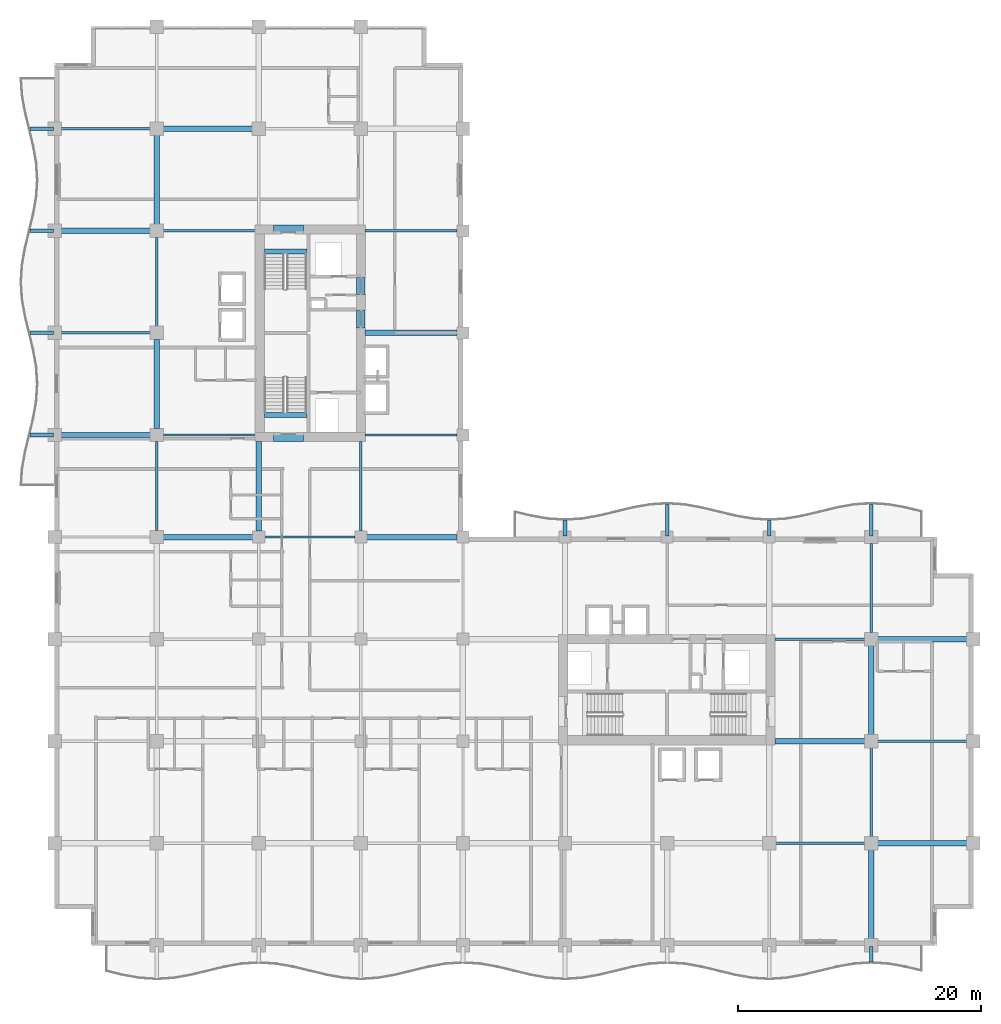
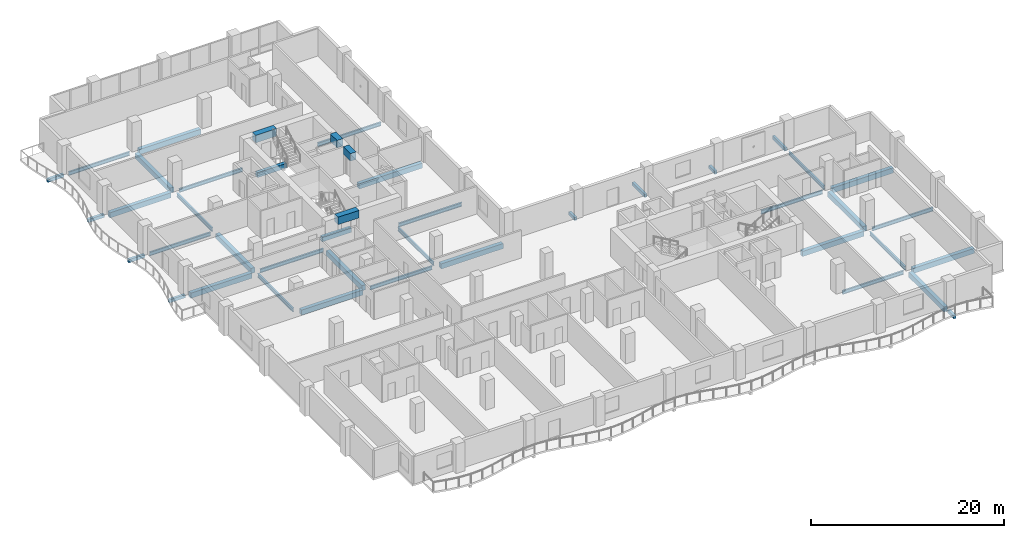
# One storey, part 2 of 20: 44 beams.
"""IFC4 building model written with IfcOpenShell, lengths in metres."""

from ifc_helpers import new_model, si_unit, direction, frame, origin, origin_2d, place, context, subcontext, project, spatial, rectangle, i_section, extrude, material, material_profile, profile_set, type_object, element, save


model = new_model("IFC4")

# Units and contexts
model_context = context("Model", 3, precision=1e-05, world=origin(), true_north=direction((0.0, 1.0)))
body_context = subcontext(model_context, "Body", "Model", "MODEL_VIEW")
ifc_project = project(units=[si_unit("LENGTHUNIT", "METRE"), si_unit("AREAUNIT", "SQUARE_METRE"), si_unit("VOLUMEUNIT", "CUBIC_METRE"), si_unit("PLANEANGLEUNIT", "RADIAN"), si_unit("MASSUNIT", "GRAM", prefix="KILO")], contexts=[model_context])

# Site, building, storey
site_placement = place(None, origin())
site = spatial("IfcSite", under=ifc_project, at=site_placement, CompositionType="ELEMENT")
building_placement = place(site_placement, origin())
building = spatial("IfcBuilding", under=site, at=building_placement, Name="Koriwani Terraces Tower", CompositionType="ELEMENT")
storey_placement = place(building_placement, frame((0.0, 0.0, 175.39990234375)))
storey = spatial("IfcBuildingStorey", under=building, at=storey_placement, Name="L42", CompositionType="ELEMENT", Elevation=175.39990234375)

# Beams
ifc_material_1 = material(Name="Concrete C40/50", Category="concrete")
ifc_material_profile_1 = material_profile(ifc_material_1, rectangle(XDim=0.300048828125, YDim=0.39990234375, at=origin_2d()), Name="Concrete C40/50", Category="LoadBearing")
ifc_profile_set_1 = profile_set([ifc_material_profile_1], Name="Concrete C40/50")
beam_type_1 = type_object("IfcBeamType", Name="BEAM_RC_BALCONY_RIB_300X400", PredefinedType="JOIST", material=ifc_profile_set_1)
beam_1_placement = place(storey_placement, frame((67.199951171875, -1.35009765625, -0.429931640625), z_axis=(0.0, 1.0, 0.0), x_axis=(-1.0, 0.0, 0.0)))
element("IfcBeam", 1, at=beam_1_placement, inside=storey, type_object=beam_type_1, Name="L42 Balcony Bracket Rib S-8", PredefinedType="JOIST", context=body_context, shape_type="SweptSolid", body=[
    extrude(rectangle(XDim=0.300048828125, YDim=0.39990234375, at=origin_2d()), origin(), (0.0, 0.0, 1.0), 1.25),
])
for number, where, z_axis, x_axis, name in (
    (2, (-2.02490234375, 42.0, -0.429931640625), (1.0, 0.0, 0.0), (0.0, 1.0, 0.0), "L42 Balcony Bracket Rib W-1"),
    (3, (-2.02490234375, 50.39990234375, -0.429931640625), (1.0, 0.0, 0.0), (0.0, 1.0, 0.0), "L42 Balcony Bracket Rib W-2"),
    (4, (-2.02490234375, 58.800048828125, -0.429931640625), (1.0, 0.0, 0.0), (0.0, 1.0, 0.0), "L42 Balcony Bracket Rib W-3"),
    (5, (-2.02490234375, 67.199951171875, -0.429931640625), (1.0, 0.0, 0.0), (0.0, 1.0, 0.0), "L42 Balcony Bracket Rib W-4"),
):
    element("IfcBeam", number, at=place(storey_placement, frame(where, z_axis=z_axis, x_axis=x_axis)), inside=storey, type_object=beam_type_1, Name=name, PredefinedType="JOIST", context=body_context, shape_type="SweptSolid", body=[
        extrude(rectangle(XDim=0.300048828125, YDim=0.39990234375, at=origin_2d()), origin(), (0.0, 0.0, 1.0), 1.9248046875),
    ])
beam_2_placement = place(storey_placement, frame((42.0, 33.699951171875, -0.429931640625), z_axis=(0.0, 1.0, 0.0), x_axis=(-1.0, 0.0, 0.0)))
element("IfcBeam", 6, at=beam_2_placement, inside=storey, type_object=beam_type_1, Name="L42 Balcony Bracket Rib NE-1", PredefinedType="JOIST", context=body_context, shape_type="SweptSolid", body=[
    extrude(rectangle(XDim=0.300048828125, YDim=0.39990234375, at=origin_2d()), origin(), (0.0, 0.0, 1.0), 1.25),
])
beam_3_placement = place(storey_placement, frame((50.39990234375, 33.699951171875, -0.429931640625), z_axis=(0.0, 1.0, 0.0), x_axis=(-1.0, 0.0, 0.0)))
element("IfcBeam", 7, at=beam_3_placement, inside=storey, type_object=beam_type_1, Name="L42 Balcony Bracket Rib NE-2", PredefinedType="JOIST", context=body_context, shape_type="SweptSolid", body=[
    extrude(rectangle(XDim=0.300048828125, YDim=0.39990234375, at=origin_2d()), origin(), (0.0, 0.0, 1.0), 2.60009765625),
])
beam_4_placement = place(storey_placement, frame((58.800048828125, 33.699951171875, -0.429931640625), z_axis=(0.0, 1.0, 0.0), x_axis=(-1.0, 0.0, 0.0)))
element("IfcBeam", 8, at=beam_4_placement, inside=storey, type_object=beam_type_1, Name="L42 Balcony Bracket Rib NE-3", PredefinedType="JOIST", context=body_context, shape_type="SweptSolid", body=[
    extrude(rectangle(XDim=0.300048828125, YDim=0.39990234375, at=origin_2d()), origin(), (0.0, 0.0, 1.0), 1.25),
])
beam_5_placement = place(storey_placement, frame((67.199951171875, 33.699951171875, -0.429931640625), z_axis=(0.0, 1.0, 0.0), x_axis=(-1.0, 0.0, 0.0)))
element("IfcBeam", 9, at=beam_5_placement, inside=storey, type_object=beam_type_1, Name="L42 Balcony Bracket Rib NE-4", PredefinedType="JOIST", context=body_context, shape_type="SweptSolid", body=[
    extrude(rectangle(XDim=0.300048828125, YDim=0.39990234375, at=origin_2d()), origin(), (0.0, 0.0, 1.0), 2.60009765625),
])
ifc_material_2 = material(Name="Concrete C60/75", Category="concrete")
ifc_material_profile_2 = material_profile(ifc_material_2, rectangle(XDim=0.699951171875, YDim=0.949951171875, at=origin_2d()), Name="Concrete C60/75", Category="LoadBearing")
ifc_profile_set_2 = profile_set([ifc_material_profile_2], Name="Concrete C60/75")
beam_type_2 = type_object("IfcBeamType", Name="BEAM_RC_COUPLING_700X950", PredefinedType="LINTEL", material=ifc_profile_set_2)
beam_6_placement = place(storey_placement, frame((25.199951171875, 50.800048828125, 2.9951171875), z_axis=(0.0, 1.0, 0.0), x_axis=(-1.0, 0.0, 0.0)))
element("IfcBeam", 10, at=beam_6_placement, inside=storey, type_object=beam_type_2, Name="L42 Core Coupling Lintel Beam WE1", PredefinedType="LINTEL", context=body_context, shape_type="SweptSolid", body=[
    extrude(rectangle(XDim=0.699951171875, YDim=0.949951171875, at=origin_2d()), origin(), (0.0, 0.0, 1.0), 1.47998046875),
])
beam_7_placement = place(storey_placement, frame((25.199951171875, 53.550048828125, 2.9951171875), z_axis=(0.0, 1.0, 0.0), x_axis=(-1.0, 0.0, 0.0)))
element("IfcBeam", 11, at=beam_7_placement, inside=storey, type_object=beam_type_2, Name="L42 Core Coupling Lintel Beam WE2", PredefinedType="LINTEL", context=body_context, shape_type="SweptSolid", body=[
    extrude(rectangle(XDim=0.699951171875, YDim=0.949951171875, at=origin_2d()), origin(), (0.0, 0.0, 1.0), 1.39990234375),
])
for number, where, z_axis, x_axis, name in (
    (12, (18.0, 41.824951171875, 2.9951171875), (1.0, 0.0, 0.0), (0.0, 1.0, 0.0), "L42 Core Coupling Lintel Beam WS"),
    (13, (18.0, 58.925048828125, 2.9951171875), (1.0, 0.0, 0.0), (0.0, 1.0, 0.0), "L42 Core Coupling Lintel Beam WN"),
):
    element("IfcBeam", number, at=place(storey_placement, frame(where, z_axis=z_axis, x_axis=x_axis)), inside=storey, type_object=beam_type_2, Name=name, PredefinedType="LINTEL", context=body_context, shape_type="SweptSolid", body=[
        extrude(rectangle(XDim=0.699951171875, YDim=0.949951171875, at=origin_2d()), origin(), (0.0, 0.0, 1.0), 2.5),
    ])
ifc_material_profile_3 = material_profile(ifc_material_1, rectangle(XDim=0.39990234375, YDim=0.60009765625, at=origin_2d()), Name="Concrete C40/50", Category="LoadBearing")
ifc_profile_set_3 = profile_set([ifc_material_profile_3], Name="Concrete C40/50")
beam_type_3 = type_object("IfcBeamType", Name="BEAM_RC_GRID_400X600", PredefinedType="BEAM", material=ifc_profile_set_3)
for number, where, z_axis, x_axis, name in (
    (14, (17.25, 43.655029296875, -0.2998046875), (1.0, 0.0, 0.0), (0.0, 1.0, 0.0), "L42 Stairwell Header Trimmer Beam ST-W1"),
    (15, (17.25, 57.094970703125, -0.2998046875), (1.0, 0.0, 0.0), (0.0, 1.0, 0.0), "L42 Stairwell Header Trimmer Beam ST-W2"),
):
    element("IfcBeam", number, at=place(storey_placement, frame(where, z_axis=z_axis, x_axis=x_axis)), inside=storey, type_object=beam_type_3, Name=name, PredefinedType="BEAM", context=body_context, shape_type="SweptSolid", body=[
        extrude(rectangle(XDim=0.39990234375, YDim=0.60009765625, at=origin_2d()), origin(), (0.0, 0.0, 1.0), 3.5),
    ])
ifc_material_3 = material(Name="Concrete C50/60", Category="concrete")
ifc_material_profile_4 = material_profile(ifc_material_3, rectangle(XDim=0.449951171875, YDim=0.64990234375, at=origin_2d()), Name="Concrete C50/60", Category="LoadBearing")
ifc_profile_set_4 = profile_set([ifc_material_profile_4], Name="Concrete C50/60")
beam_type_4 = type_object("IfcBeamType", Name="BEAM_RC_GRID_450X650", PredefinedType="BEAM", material=ifc_profile_set_4)
beam_8_placement = place(storey_placement, frame((67.72998046875, 8.39990234375, -0.554931640625), z_axis=(1.0, 0.0, 0.0), x_axis=(0.0, 1.0, 0.0)))
element("IfcBeam", 16, at=beam_8_placement, inside=storey, type_object=beam_type_4, Name="L42 Grid Beam B (67.2-75.6m)", PredefinedType="BEAM", context=body_context, shape_type="SweptSolid", body=[
    extrude(rectangle(XDim=0.449951171875, YDim=0.64990234375, at=origin_2d()), origin(), (0.0, 0.0, 1.0), 7.340087890625),
])
beam_9_placement = place(storey_placement, frame((59.280029296875, 16.800048828125, -0.554931640625), z_axis=(1.0, 0.0, 0.0), x_axis=(0.0, 1.0, 0.0)))
element("IfcBeam", 17, at=beam_9_placement, inside=storey, type_object=beam_type_4, Name="L42 Grid Beam C (58.8-67.2m)", PredefinedType="BEAM", context=body_context, shape_type="SweptSolid", body=[
    extrude(rectangle(XDim=0.449951171875, YDim=0.64990234375, at=origin_2d()), origin(), (0.0, 0.0, 1.0), 7.389892578125),
])
beam_10_placement = place(storey_placement, frame((67.72998046875, 25.199951171875, -0.554931640625), z_axis=(1.0, 0.0, 0.0), x_axis=(0.0, 1.0, 0.0)))
element("IfcBeam", 18, at=beam_10_placement, inside=storey, type_object=beam_type_4, Name="L42 Grid Beam D (67.2-75.6m)", PredefinedType="BEAM", context=body_context, shape_type="SweptSolid", body=[
    extrude(rectangle(XDim=0.449951171875, YDim=0.64990234375, at=origin_2d()), origin(), (0.0, 0.0, 1.0), 7.340087890625),
])
beam_11_placement = place(storey_placement, frame((8.929931640625, 33.60009765625, -0.554931640625), z_axis=(1.0, 0.0, 0.0), x_axis=(0.0, 1.0, 0.0)))
element("IfcBeam", 19, at=beam_11_placement, inside=storey, type_object=beam_type_4, Name="L42 Grid Beam E (8.4-16.8m)", PredefinedType="BEAM", context=body_context, shape_type="SweptSolid", body=[
    extrude(rectangle(XDim=0.449951171875, YDim=0.64990234375, at=origin_2d()), origin(), (0.0, 0.0, 1.0), 7.39013671875),
])
beam_12_placement = place(storey_placement, frame((25.679931640625, 33.60009765625, -0.554931640625), z_axis=(1.0, 0.0, 0.0), x_axis=(0.0, 1.0, 0.0)))
element("IfcBeam", 20, at=beam_12_placement, inside=storey, type_object=beam_type_4, Name="L42 Grid Beam E (25.2-33.6m)", PredefinedType="BEAM", context=body_context, shape_type="SweptSolid", body=[
    extrude(rectangle(XDim=0.449951171875, YDim=0.64990234375, at=origin_2d()), origin(), (0.0, 0.0, 1.0), 7.440185546875),
])
beam_13_placement = place(storey_placement, frame((0.530029296875, 42.0, -0.554931640625), z_axis=(1.0, 0.0, 0.0), x_axis=(0.0, 1.0, 0.0)))
element("IfcBeam", 21, at=beam_13_placement, inside=storey, type_object=beam_type_4, Name="L42 Grid Beam F (0.0-8.4m)", PredefinedType="BEAM", context=body_context, shape_type="SweptSolid", body=[
    extrude(rectangle(XDim=0.449951171875, YDim=0.64990234375, at=origin_2d()), origin(), (0.0, 0.0, 1.0), 7.340087890625),
])
beam_14_placement = place(storey_placement, frame((25.554931640625, 50.39990234375, -0.554931640625), z_axis=(1.0, 0.0, 0.0), x_axis=(0.0, 1.0, 0.0)))
element("IfcBeam", 22, at=beam_14_placement, inside=storey, type_object=beam_type_4, Name="L42 Grid Beam G (25.2-33.6m)", PredefinedType="BEAM", context=body_context, shape_type="SweptSolid", body=[
    extrude(rectangle(XDim=0.449951171875, YDim=0.64990234375, at=origin_2d()), origin(), (0.0, 0.0, 1.0), 7.565185546875),
])
for number, where, z_axis, x_axis, name in (
    (23, (0.530029296875, 58.800048828125, -0.554931640625), (1.0, 0.0, 0.0), (0.0, 1.0, 0.0), "L42 Grid Beam H (0.0-8.4m)"),
    (24, (8.929931640625, 67.199951171875, -0.554931640625), (1.0, 0.0, 0.0), (0.0, 1.0, 0.0), "L42 Grid Beam I (8.4-16.8m)"),
    (25, (8.39990234375, 42.530029296875, -0.554931640625), (0.0, 1.0, 0.0), (-1.0, 0.0, 0.0), "L42 Grid Beam 2 (42.0-50.4m)"),
):
    element("IfcBeam", number, at=place(storey_placement, frame(where, z_axis=z_axis, x_axis=x_axis)), inside=storey, type_object=beam_type_4, Name=name, PredefinedType="BEAM", context=body_context, shape_type="SweptSolid", body=[
        extrude(rectangle(XDim=0.449951171875, YDim=0.64990234375, at=origin_2d()), origin(), (0.0, 0.0, 1.0), 7.340087890625),
    ])
beam_15_placement = place(storey_placement, frame((8.39990234375, 59.330078125, -0.554931640625), z_axis=(0.0, 1.0, 0.0), x_axis=(-1.0, 0.0, 0.0)))
element("IfcBeam", 26, at=beam_15_placement, inside=storey, type_object=beam_type_4, Name="L42 Grid Beam 2 (58.8-67.2m)", PredefinedType="BEAM", context=body_context, shape_type="SweptSolid", body=[
    extrude(rectangle(XDim=0.449951171875, YDim=0.64990234375, at=origin_2d()), origin(), (0.0, 0.0, 1.0), 7.33984375),
])
beam_16_placement = place(storey_placement, frame((16.800048828125, 34.080078125, -0.554931640625), z_axis=(0.0, 1.0, 0.0), x_axis=(-1.0, 0.0, 0.0)))
element("IfcBeam", 27, at=beam_16_placement, inside=storey, type_object=beam_type_4, Name="L42 Grid Beam 3 (33.6-42.0m)", PredefinedType="BEAM", context=body_context, shape_type="SweptSolid", body=[
    extrude(rectangle(XDim=0.449951171875, YDim=0.64990234375, at=origin_2d()), origin(), (0.0, 0.0, 1.0), 7.389892578125),
])
beam_17_placement = place(storey_placement, frame((67.199951171875, 0.530029296875, -0.554931640625), z_axis=(0.0, 1.0, 0.0), x_axis=(-1.0, 0.0, 0.0)))
element("IfcBeam", 28, at=beam_17_placement, inside=storey, type_object=beam_type_4, Name="L42 Grid Beam 9 (0.0-8.4m)", PredefinedType="BEAM", context=body_context, shape_type="SweptSolid", body=[
    extrude(rectangle(XDim=0.449951171875, YDim=0.64990234375, at=origin_2d()), origin(), (0.0, 0.0, 1.0), 7.340087890625),
])
beam_18_placement = place(storey_placement, frame((67.199951171875, 17.330078125, -0.554931640625), z_axis=(0.0, 1.0, 0.0), x_axis=(-1.0, 0.0, 0.0)))
element("IfcBeam", 29, at=beam_18_placement, inside=storey, type_object=beam_type_4, Name="L42 Grid Beam 9 (16.8-25.2m)", PredefinedType="BEAM", context=body_context, shape_type="SweptSolid", body=[
    extrude(rectangle(XDim=0.449951171875, YDim=0.64990234375, at=origin_2d()), origin(), (0.0, 0.0, 1.0), 7.33984375),
])
ifc_material_4 = material(Name="Steel ASTM A572 Grade 50", Category="steel")
ifc_material_profile_5 = material_profile(ifc_material_4, i_section(OverallWidth=0.193115234375, OverallDepth=0.462890625, WebThickness=0.0107421875, FlangeThickness=0.017333984375, at=origin_2d()), Name="Steel ASTM A572 Grade 50", Category="LoadBearing")
ifc_profile_set_5 = profile_set([ifc_material_profile_5], Name="Steel ASTM A572 Grade 50")
beam_type_5 = type_object("IfcBeamType", Name="STEEL_BEAM_W460X113", PredefinedType="BEAM", material=ifc_profile_set_5)
beam_19_placement = place(storey_placement, frame((59.330078125, 8.39990234375, -0.46142578125), z_axis=(1.0, 0.0, 0.0), x_axis=(0.0, 1.0, 0.0)))
element("IfcBeam", 30, at=beam_19_placement, inside=storey, type_object=beam_type_5, Name="L42 Grid Beam B (58.8-67.2m)", PredefinedType="BEAM", context=body_context, shape_type="SweptSolid", body=[
    extrude(i_section(OverallWidth=0.193115234375, OverallDepth=0.462890625, WebThickness=0.0107421875, FlangeThickness=0.017333984375, at=origin_2d()), origin(), (0.0, 0.0, 1.0), 7.33984375),
])
beam_20_placement = place(storey_placement, frame((67.72998046875, 16.800048828125, -0.46142578125), z_axis=(1.0, 0.0, 0.0), x_axis=(0.0, 1.0, 0.0)))
element("IfcBeam", 31, at=beam_20_placement, inside=storey, type_object=beam_type_5, Name="L42 Grid Beam C (67.2-75.6m)", PredefinedType="BEAM", context=body_context, shape_type="SweptSolid", body=[
    extrude(i_section(OverallWidth=0.193115234375, OverallDepth=0.462890625, WebThickness=0.0107421875, FlangeThickness=0.017333984375, at=origin_2d()), origin(), (0.0, 0.0, 1.0), 7.340087890625),
])
beam_21_placement = place(storey_placement, frame((59.280029296875, 25.199951171875, -0.46142578125), z_axis=(1.0, 0.0, 0.0), x_axis=(0.0, 1.0, 0.0)))
element("IfcBeam", 32, at=beam_21_placement, inside=storey, type_object=beam_type_5, Name="L42 Grid Beam D (58.8-67.2m)", PredefinedType="BEAM", context=body_context, shape_type="SweptSolid", body=[
    extrude(i_section(OverallWidth=0.193115234375, OverallDepth=0.462890625, WebThickness=0.0107421875, FlangeThickness=0.017333984375, at=origin_2d()), origin(), (0.0, 0.0, 1.0), 7.389892578125),
])
beam_22_placement = place(storey_placement, frame((17.280029296875, 33.60009765625, -0.46142578125), z_axis=(1.0, 0.0, 0.0), x_axis=(0.0, 1.0, 0.0)))
element("IfcBeam", 33, at=beam_22_placement, inside=storey, type_object=beam_type_5, Name="L42 Grid Beam E (16.8-25.2m)", PredefinedType="BEAM", context=body_context, shape_type="SweptSolid", body=[
    extrude(i_section(OverallWidth=0.193115234375, OverallDepth=0.462890625, WebThickness=0.0107421875, FlangeThickness=0.017333984375, at=origin_2d()), origin(), (0.0, 0.0, 1.0), 7.43994140625),
])
beam_23_placement = place(storey_placement, frame((8.929931640625, 42.0, -0.46142578125), z_axis=(1.0, 0.0, 0.0), x_axis=(0.0, 1.0, 0.0)))
element("IfcBeam", 34, at=beam_23_placement, inside=storey, type_object=beam_type_5, Name="L42 Grid Beam F (8.4-16.8m)", PredefinedType="BEAM", context=body_context, shape_type="SweptSolid", body=[
    extrude(i_section(OverallWidth=0.193115234375, OverallDepth=0.462890625, WebThickness=0.0107421875, FlangeThickness=0.017333984375, at=origin_2d()), origin(), (0.0, 0.0, 1.0), 7.590087890625),
])
beam_24_placement = place(storey_placement, frame((25.554931640625, 42.0, -0.46142578125), z_axis=(1.0, 0.0, 0.0), x_axis=(0.0, 1.0, 0.0)))
element("IfcBeam", 35, at=beam_24_placement, inside=storey, type_object=beam_type_5, Name="L42 Grid Beam F (25.2-33.6m)", PredefinedType="BEAM", context=body_context, shape_type="SweptSolid", body=[
    extrude(i_section(OverallWidth=0.193115234375, OverallDepth=0.462890625, WebThickness=0.0107421875, FlangeThickness=0.017333984375, at=origin_2d()), origin(), (0.0, 0.0, 1.0), 7.565185546875),
])
beam_25_placement = place(storey_placement, frame((0.530029296875, 50.39990234375, -0.46142578125), z_axis=(1.0, 0.0, 0.0), x_axis=(0.0, 1.0, 0.0)))
element("IfcBeam", 36, at=beam_25_placement, inside=storey, type_object=beam_type_5, Name="L42 Grid Beam G (0.0-8.4m)", PredefinedType="BEAM", context=body_context, shape_type="SweptSolid", body=[
    extrude(i_section(OverallWidth=0.193115234375, OverallDepth=0.462890625, WebThickness=0.0107421875, FlangeThickness=0.017333984375, at=origin_2d()), origin(), (0.0, 0.0, 1.0), 7.340087890625),
])
beam_26_placement = place(storey_placement, frame((8.929931640625, 58.800048828125, -0.46142578125), z_axis=(1.0, 0.0, 0.0), x_axis=(0.0, 1.0, 0.0)))
element("IfcBeam", 37, at=beam_26_placement, inside=storey, type_object=beam_type_5, Name="L42 Grid Beam H (8.4-16.8m)", PredefinedType="BEAM", context=body_context, shape_type="SweptSolid", body=[
    extrude(i_section(OverallWidth=0.193115234375, OverallDepth=0.462890625, WebThickness=0.0107421875, FlangeThickness=0.017333984375, at=origin_2d()), origin(), (0.0, 0.0, 1.0), 7.590087890625),
])
beam_27_placement = place(storey_placement, frame((25.554931640625, 58.800048828125, -0.46142578125), z_axis=(1.0, 0.0, 0.0), x_axis=(0.0, 1.0, 0.0)))
element("IfcBeam", 38, at=beam_27_placement, inside=storey, type_object=beam_type_5, Name="L42 Grid Beam H (25.2-33.6m)", PredefinedType="BEAM", context=body_context, shape_type="SweptSolid", body=[
    extrude(i_section(OverallWidth=0.193115234375, OverallDepth=0.462890625, WebThickness=0.0107421875, FlangeThickness=0.017333984375, at=origin_2d()), origin(), (0.0, 0.0, 1.0), 7.565185546875),
])
for number, where, z_axis, x_axis, name in (
    (39, (0.530029296875, 67.199951171875, -0.46142578125), (1.0, 0.0, 0.0), (0.0, 1.0, 0.0), "L42 Grid Beam I (0.0-8.4m)"),
    (40, (8.39990234375, 34.1298828125, -0.46142578125), (0.0, 1.0, 0.0), (-1.0, 0.0, 0.0), "L42 Grid Beam 2 (33.6-42.0m)"),
    (41, (8.39990234375, 50.929931640625, -0.46142578125), (0.0, 1.0, 0.0), (-1.0, 0.0, 0.0), "L42 Grid Beam 2 (50.4-58.8m)"),
):
    element("IfcBeam", number, at=place(storey_placement, frame(where, z_axis=z_axis, x_axis=x_axis)), inside=storey, type_object=beam_type_5, Name=name, PredefinedType="BEAM", context=body_context, shape_type="SweptSolid", body=[
        extrude(i_section(OverallWidth=0.193115234375, OverallDepth=0.462890625, WebThickness=0.0107421875, FlangeThickness=0.017333984375, at=origin_2d()), origin(), (0.0, 0.0, 1.0), 7.340087890625),
    ])
beam_28_placement = place(storey_placement, frame((25.199951171875, 34.080078125, -0.46142578125), z_axis=(0.0, 1.0, 0.0), x_axis=(-1.0, 0.0, 0.0)))
element("IfcBeam", 42, at=beam_28_placement, inside=storey, type_object=beam_type_5, Name="L42 Grid Beam 4 (33.6-42.0m)", PredefinedType="BEAM", context=body_context, shape_type="SweptSolid", body=[
    extrude(i_section(OverallWidth=0.193115234375, OverallDepth=0.462890625, WebThickness=0.0107421875, FlangeThickness=0.017333984375, at=origin_2d()), origin(), (0.0, 0.0, 1.0), 7.389892578125),
])
for number, where, z_axis, x_axis, name in (
    (43, (67.199951171875, 8.929931640625, -0.46142578125), (0.0, 1.0, 0.0), (-1.0, 0.0, 0.0), "L42 Grid Beam 9 (8.4-16.8m)"),
    (44, (67.199951171875, 25.72998046875, -0.46142578125), (0.0, 1.0, 0.0), (-1.0, 0.0, 0.0), "L42 Grid Beam 9 (25.2-33.6m)"),
):
    element("IfcBeam", number, at=place(storey_placement, frame(where, z_axis=z_axis, x_axis=x_axis)), inside=storey, type_object=beam_type_5, Name=name, PredefinedType="BEAM", context=body_context, shape_type="SweptSolid", body=[
        extrude(i_section(OverallWidth=0.193115234375, OverallDepth=0.462890625, WebThickness=0.0107421875, FlangeThickness=0.017333984375, at=origin_2d()), origin(), (0.0, 0.0, 1.0), 7.340087890625),
    ])

save(model, "model.ifc")
